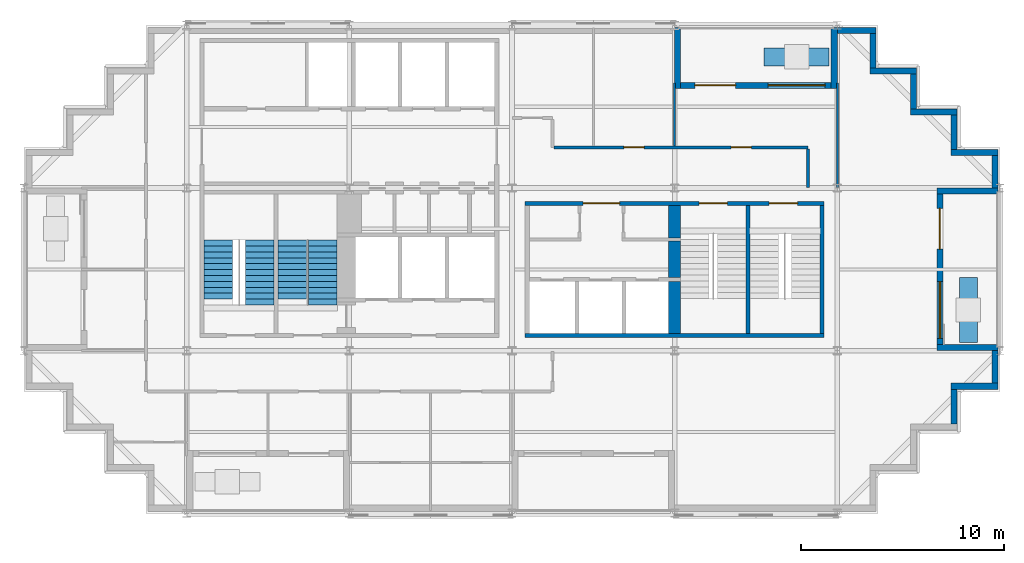
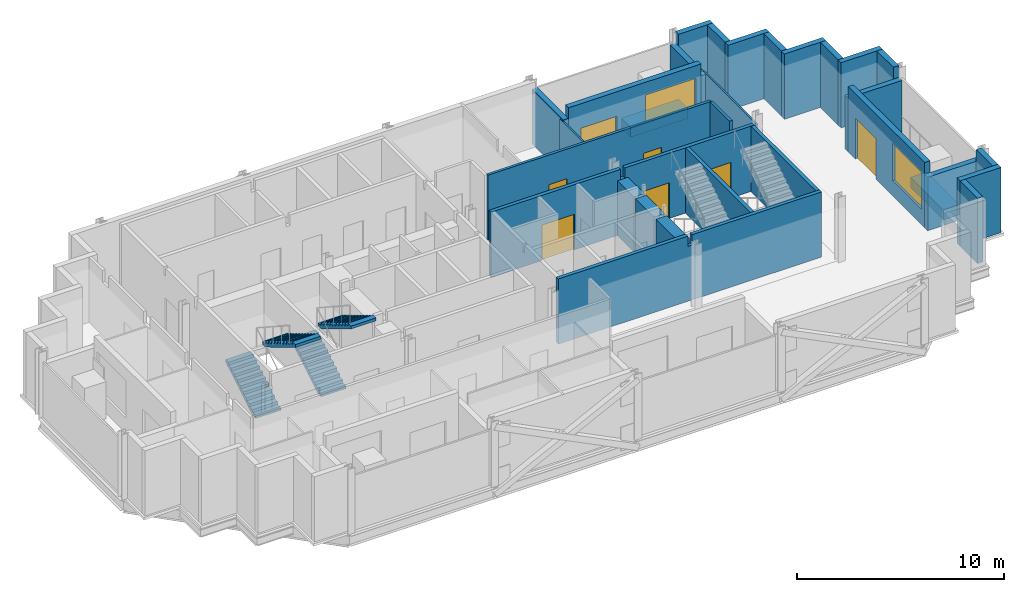
# One storey, part 5 of 8: 30 walls, 7 doors, 4 stair flights, 2 windows, 9 openings, 2 elements without a shape of their own.
"""IFC4 building model written with IfcOpenShell, lengths in metres."""

from ifc_helpers import new_model, si_unit, direction, frame, frame_2d, origin, place, context, subcontext, project, spatial, polyline, rectangle, outline, extrude, material, layer, layer_set, type_object, element, fill, aggregate, save


model = new_model("IFC4")

# Units and contexts
model_context = context("Model", 3, precision=1e-05, world=origin(), true_north=direction((0.0, 1.0)))
body_context = subcontext(model_context, "Body", "Model", "MODEL_VIEW")
ifc_project = project(units=[si_unit("LENGTHUNIT", "METRE"), si_unit("AREAUNIT", "SQUARE_METRE"), si_unit("VOLUMEUNIT", "CUBIC_METRE"), si_unit("PLANEANGLEUNIT", "RADIAN"), si_unit("MASSUNIT", "GRAM", prefix="KILO")], contexts=[model_context])

# Site, building, storey
site_placement = place(None, origin())
site = spatial("IfcSite", under=ifc_project, at=site_placement, CompositionType="ELEMENT")
building_placement = place(site_placement, origin())
building = spatial("IfcBuilding", under=site, at=building_placement, Name="Immortelle Media Tower", CompositionType="ELEMENT")
storey_placement = place(building_placement, frame((0.0, 0.0, 197.0)))
storey = spatial("IfcBuildingStorey", under=building, at=storey_placement, Name="L41", CompositionType="ELEMENT", Elevation=197.0)

# Wall
ifc_material_1 = material(Name="Fire-rated gypsum board", Category="gypsum")
ifc_layer_1 = layer(ifc_material_1, 0.012451171875)
ifc_material_2 = material(Name="Steel ASTM A653 SS Gr 50 stud frame with mineral wool", Category="steel")
ifc_layer_2 = layer(ifc_material_2, 0.125)
ifc_layer_3 = layer(ifc_material_1, 0.012451171875)
ifc_layer_set_1 = layer_set([ifc_layer_1, ifc_layer_2, ifc_layer_3], Name="Steel ASTM A653 SS Gr 50 stud frame with mineral wool")
wall_type_1 = type_object("IfcWallType", Name="Corridor wall 150", PredefinedType="PARTITIONING", material=ifc_layer_set_1)
wall_1_placement = place(storey_placement, frame((38.550048828125, 16.030029296875, 0.0), z_axis=(0.0, 0.0, 1.0), x_axis=(0.0, 1.0, 0.0)))
element("IfcWall", 1, at=wall_1_placement, inside=storey, type_object=wall_type_1, Name="Partition L41-017", PredefinedType="PARTITIONING", context=body_context, shape_type="SweptSolid", body=[
    extrude(rectangle(XDim=1.89501953125, YDim=0.14990234375, at=frame_2d((0.947509765625, 0.0))), origin(), (0.0, 0.0, 1.0), 3.85009765625),
])

# Wall, openings, doors
wall_2_placement = place(storey_placement, frame((26.074951171875, 18.0, 0.0), z_axis=(0.0, 0.0, 1.0), x_axis=(1.0, 0.0, 0.0)))
wall_2 = element("IfcWall", 2, at=wall_2_placement, inside=storey, type_object=wall_type_1, Name="Partition L41-019", PredefinedType="PARTITIONING", context=body_context, shape_type="SweptSolid", body=[
    extrude(rectangle(XDim=12.47509765625, YDim=0.14990234375, at=frame_2d((6.237548828125, 0.0))), origin(), (0.0, 0.0, 1.0), 3.85009765625),
])
opening_1_placement = place(wall_2_placement, frame((8.699951171875, 0.0, 0.0)))
opening_1 = element("IfcOpeningElement", 3, at=opening_1_placement, cuts=wall_2, Name="Opening O1-F013", PredefinedType="OPENING", context=body_context, shape_type="SweptSolid", body=[
    extrude(rectangle(XDim=1.0, YDim=2.10009765625, at=frame_2d((0.5, 1.050048828125))), frame((0.0, 0.0849609375, 0.0), z_axis=(0.0, -1.0, 0.0), x_axis=(1.0, 0.0, 0.0)), (0.0, 0.0, 1.0), 0.169921875),
])
opening_2_placement = place(wall_2_placement, frame((3.425048828125, 0.0, 0.0)))
opening_2 = element("IfcOpeningElement", 4, at=opening_2_placement, cuts=wall_2, Name="Opening O1-F015", PredefinedType="OPENING", context=body_context, shape_type="SweptSolid", body=[
    extrude(rectangle(XDim=1.0, YDim=2.10009765625, at=frame_2d((0.5, 1.050048828125))), frame((0.0, 0.0849609375, 0.0), z_axis=(0.0, -1.0, 0.0), x_axis=(1.0, 0.0, 0.0)), (0.0, 0.0, 1.0), 0.169921875),
])
ifc_material_3 = material(Name="Timber veneered door leaf, galvanised steel frame ASTM A653", Category="steel")
door_type_1 = type_object("IfcDoorType", Name="Room door 1000 x 2100", OperationType="NOTDEFINED", PredefinedType="DOOR", material=ifc_material_3)
door_1_placement = place(opening_1_placement, origin())
door_1 = element("IfcDoor", 5, at=door_1_placement, inside=storey, type_object=door_type_1, Name="Door O1-F013", OperationType="SINGLE_SWING_LEFT", OverallHeight=2.10009765625, OverallWidth=1.0, PredefinedType="DOOR", context=body_context, shape_type="SweptSolid", body=[
    extrude(rectangle(XDim=1.0, YDim=2.10009765625, at=frame_2d((0.5, 1.050048828125))), frame((0.0, 0.02490234375, 0.0), z_axis=(0.0, -1.0, 0.0), x_axis=(1.0, 0.0, 0.0)), (0.0, 0.0, 1.0), 0.050048828125),
])
fill(opening_1, door_1)
door_2_placement = place(opening_2_placement, origin())
door_2 = element("IfcDoor", 6, at=door_2_placement, inside=storey, type_object=door_type_1, Name="Door O1-F015", OperationType="SINGLE_SWING_RIGHT", OverallHeight=2.10009765625, OverallWidth=1.0, PredefinedType="DOOR", context=body_context, shape_type="SweptSolid", body=[
    extrude(rectangle(XDim=1.0, YDim=2.10009765625, at=frame_2d((0.5, 1.050048828125))), frame((0.0, 0.02490234375, 0.0), z_axis=(0.0, -1.0, 0.0), x_axis=(1.0, 0.0, 0.0)), (0.0, 0.0, 1.0), 0.050048828125),
])
fill(opening_2, door_2)

# Walls
ifc_material_4 = material(Name="Pale aluminium cladding panel", Category="aluminium")
ifc_layer_4 = layer(ifc_material_4, 0.030029296875)
ifc_layer_5 = layer(ifc_material_2, 0.257568359375)
ifc_material_5 = material(Name="Moisture-resistant gypsum board", Category="gypsum")
ifc_layer_6 = layer(ifc_material_5, 0.012451171875)
ifc_layer_set_2 = layer_set([ifc_layer_4, ifc_layer_5, ifc_layer_6], Name="Steel ASTM A653 SS Gr 50 stud frame with mineral wool")
wall_type_2 = type_object("IfcWallType", Name="Facade wall 300", PredefinedType="SOLIDWALL", material=ifc_layer_set_2)
wall_3_placement = place(storey_placement, frame((45.75, 4.39990234375, 0.0), z_axis=(0.0, 0.0, 1.0), x_axis=(0.0, 1.0, 0.0)))
element("IfcWall", 7, at=wall_3_placement, inside=storey, type_object=wall_type_2, Name="Facade wall L41 E11", PredefinedType="SOLIDWALL", context=body_context, shape_type="SweptSolid", body=[
    extrude(rectangle(XDim=1.7001953125, YDim=0.300048828125, at=frame_2d((0.85009765625, 0.0))), origin(), (0.0, 0.0, 1.0), 3.85009765625),
])
wall_4_placement = place(storey_placement, frame((45.60009765625, 6.25, 0.0), z_axis=(0.0, 0.0, 1.0), x_axis=(1.0, 0.0, 0.0)))
element("IfcWall", 8, at=wall_4_placement, inside=storey, type_object=wall_type_2, Name="Facade wall L41 S12", PredefinedType="SOLIDWALL", context=body_context, shape_type="SweptSolid", body=[
    extrude(rectangle(XDim=2.2998046875, YDim=0.300048828125, at=frame_2d((1.14990234375, 0.0))), origin(), (0.0, 0.0, 1.0), 3.85009765625),
])
wall_5_placement = place(storey_placement, frame((47.75, 6.39990234375, 0.0), z_axis=(0.0, 0.0, 1.0), x_axis=(0.0, 1.0, 0.0)))
element("IfcWall", 9, at=wall_5_placement, inside=storey, type_object=wall_type_2, Name="Facade wall L41 E13", PredefinedType="SOLIDWALL", context=body_context, shape_type="SweptSolid", body=[
    extrude(rectangle(XDim=1.60009765625, YDim=0.300048828125, at=frame_2d((0.800048828125, 0.0))), origin(), (0.0, 0.0, 1.0), 3.85009765625),
])

# Wall, openings, door, window
wall_6_placement = place(storey_placement, frame((45.050048828125, 8.300048828125, 0.0), z_axis=(0.0, 0.0, 1.0), x_axis=(0.0, 1.0, 0.0)))
wall_6 = element("IfcWall", 10, at=wall_6_placement, inside=storey, type_object=wall_type_2, Name="Loggia wall L41 E13", PredefinedType="SOLIDWALL", context=body_context, shape_type="SweptSolid", body=[
    extrude(rectangle(XDim=7.39990234375, YDim=0.300048828125, at=frame_2d((3.699951171875, 0.0))), origin(), (0.0, 0.0, 1.0), 3.85009765625),
])
opening_3_placement = place(wall_6_placement, frame((0.300048828125, 0.0, 0.89990234375)))
opening_3 = element("IfcOpeningElement", 11, at=opening_3_placement, cuts=wall_6, Name="Opening W1", PredefinedType="OPENING", context=body_context, shape_type="SweptSolid", body=[
    extrude(rectangle(XDim=2.800048828125, YDim=2.199951171875, at=frame_2d((1.39990234375, 1.10009765625))), frame((0.0, 0.159912109375, 0.0), z_axis=(0.0, -1.0, 0.0), x_axis=(1.0, 0.0, 0.0)), (0.0, 0.0, 1.0), 0.320068359375),
])
opening_4_placement = place(wall_6_placement, frame((4.699951171875, 0.0, 0.0)))
opening_4 = element("IfcOpeningElement", 12, at=opening_4_placement, cuts=wall_6, Name="Opening O1-E003", PredefinedType="OPENING", context=body_context, shape_type="SweptSolid", body=[
    extrude(rectangle(XDim=2.0, YDim=2.39990234375, at=frame_2d((1.0, 1.199951171875))), frame((0.0, 0.159912109375, 0.0), z_axis=(0.0, -1.0, 0.0), x_axis=(1.0, 0.0, 0.0)), (0.0, 0.0, 1.0), 0.320068359375),
])
ifc_material_6 = material(Name="Aluminium frame, glazed leaves", Category="aluminium")
door_type_2 = type_object("IfcDoorType", Name="Loggia door 2000 x 2400", OperationType="DOUBLE_DOOR_SINGLE_SWING", PredefinedType="DOOR", material=ifc_material_6)
door_3_placement = place(opening_4_placement, origin())
door_3 = element("IfcDoor", 13, at=door_3_placement, inside=storey, type_object=door_type_2, Name="Door O1-E003", OperationType="DOUBLE_DOOR_SINGLE_SWING", OverallHeight=2.39990234375, OverallWidth=2.0, PredefinedType="DOOR", context=body_context, shape_type="SweptSolid", body=[
    extrude(rectangle(XDim=2.0, YDim=2.39990234375, at=frame_2d((1.0, 1.199951171875))), frame((0.0, 0.02490234375, 0.0), z_axis=(0.0, -1.0, 0.0), x_axis=(1.0, 0.0, 0.0)), (0.0, 0.0, 1.0), 0.050048828125),
])
fill(opening_4, door_3)
ifc_material_7 = material(Name="Aluminium frame", Category="aluminium")
window_type = type_object("IfcWindowType", Name="Window 2800 x 2200", PartitioningType="SINGLE_PANEL", PredefinedType="WINDOW", material=ifc_material_7)
window_1_placement = place(opening_3_placement, origin())
window_1 = element("IfcWindow", 14, at=window_1_placement, inside=storey, type_object=window_type, Name="Window L41 L41-R13-B0", OverallHeight=2.199951171875, OverallWidth=2.800048828125, PartitioningType="SINGLE_PANEL", PredefinedType="WINDOW", context=body_context, shape_type="SweptSolid", body=[
    extrude(rectangle(XDim=2.800048828125, YDim=2.199951171875, at=frame_2d((1.39990234375, 1.10009765625))), frame((0.0, 0.030029296875, 0.0), z_axis=(0.0, -1.0, 0.0), x_axis=(1.0, 0.0, 0.0)), (0.0, 0.0, 1.0), 0.06005859375),
])
fill(opening_3, window_1)

# Walls
for number, where, z_axis, x_axis, name in (
    (15, (47.89990234375, 8.14990234375, 0.0), (0.0, 0.0, 1.0), (-1.0, 0.0, 0.0), "Loggia cheek wall L41 E"),
    (16, (47.89990234375, 15.85009765625, 0.0), (0.0, 0.0, 1.0), (-1.0, 0.0, 0.0), "Loggia cheek wall L41 E"),
):
    element("IfcWall", number, at=place(storey_placement, frame(where, z_axis=z_axis, x_axis=x_axis)), inside=storey, type_object=wall_type_2, Name=name, PredefinedType="SOLIDWALL", context=body_context, shape_type="SweptSolid", body=[
        extrude(rectangle(XDim=3.0, YDim=0.300048828125, at=frame_2d((1.5, 0.0))), origin(), (0.0, 0.0, 1.0), 3.156005859375),
    ])
wall_7_placement = place(storey_placement, frame((47.75, 16.0, 0.0), z_axis=(0.0, 0.0, 1.0), x_axis=(0.0, 1.0, 0.0)))
element("IfcWall", 17, at=wall_7_placement, inside=storey, type_object=wall_type_2, Name="Facade wall L41 E13", PredefinedType="SOLIDWALL", context=body_context, shape_type="SweptSolid", body=[
    extrude(rectangle(XDim=1.60009765625, YDim=0.300048828125, at=frame_2d((0.800048828125, 0.0))), origin(), (0.0, 0.0, 1.0), 3.85009765625),
])
wall_8_placement = place(storey_placement, frame((47.89990234375, 17.75, 0.0), z_axis=(0.0, 0.0, 1.0), x_axis=(-1.0, 0.0, 0.0)))
element("IfcWall", 18, at=wall_8_placement, inside=storey, type_object=wall_type_2, Name="Facade wall L41 N14", PredefinedType="SOLIDWALL", context=body_context, shape_type="SweptSolid", body=[
    extrude(rectangle(XDim=2.2998046875, YDim=0.300048828125, at=frame_2d((1.14990234375, 0.0))), origin(), (0.0, 0.0, 1.0), 3.85009765625),
])
wall_9_placement = place(storey_placement, frame((45.75, 17.89990234375, 0.0), z_axis=(0.0, 0.0, 1.0), x_axis=(0.0, 1.0, 0.0)))
element("IfcWall", 19, at=wall_9_placement, inside=storey, type_object=wall_type_2, Name="Facade wall L41 E15", PredefinedType="SOLIDWALL", context=body_context, shape_type="SweptSolid", body=[
    extrude(rectangle(XDim=1.7001953125, YDim=0.300048828125, at=frame_2d((0.85009765625, 0.0))), origin(), (0.0, 0.0, 1.0), 3.85009765625),
])
wall_10_placement = place(storey_placement, frame((45.89990234375, 19.75, 0.0), z_axis=(0.0, 0.0, 1.0), x_axis=(-1.0, 0.0, 0.0)))
element("IfcWall", 20, at=wall_10_placement, inside=storey, type_object=wall_type_2, Name="Facade wall L41 N16", PredefinedType="SOLIDWALL", context=body_context, shape_type="SweptSolid", body=[
    extrude(rectangle(XDim=2.2998046875, YDim=0.300048828125, at=frame_2d((1.14990234375, 0.0))), origin(), (0.0, 0.0, 1.0), 3.85009765625),
])
wall_11_placement = place(storey_placement, frame((43.75, 19.89990234375, 0.0), z_axis=(0.0, 0.0, 1.0), x_axis=(0.0, 1.0, 0.0)))
element("IfcWall", 21, at=wall_11_placement, inside=storey, type_object=wall_type_2, Name="Facade wall L41 E17", PredefinedType="SOLIDWALL", context=body_context, shape_type="SweptSolid", body=[
    extrude(rectangle(XDim=1.7001953125, YDim=0.300048828125, at=frame_2d((0.85009765625, 0.0))), origin(), (0.0, 0.0, 1.0), 3.85009765625),
])
wall_12_placement = place(storey_placement, frame((43.89990234375, 21.75, 0.0), z_axis=(0.0, 0.0, 1.0), x_axis=(-1.0, 0.0, 0.0)))
element("IfcWall", 22, at=wall_12_placement, inside=storey, type_object=wall_type_2, Name="Facade wall L41 N18", PredefinedType="SOLIDWALL", context=body_context, shape_type="SweptSolid", body=[
    extrude(rectangle(XDim=2.2998046875, YDim=0.300048828125, at=frame_2d((1.14990234375, 0.0))), origin(), (0.0, 0.0, 1.0), 3.85009765625),
])
wall_13_placement = place(storey_placement, frame((41.75, 21.89990234375, 0.0), z_axis=(0.0, 0.0, 1.0), x_axis=(0.0, 1.0, 0.0)))
element("IfcWall", 23, at=wall_13_placement, inside=storey, type_object=wall_type_2, Name="Facade wall L41 E19", PredefinedType="SOLIDWALL", context=body_context, shape_type="SweptSolid", body=[
    extrude(rectangle(XDim=1.7001953125, YDim=0.300048828125, at=frame_2d((0.85009765625, 0.0))), origin(), (0.0, 0.0, 1.0), 3.85009765625),
])
wall_14_placement = place(storey_placement, frame((41.89990234375, 23.75, 0.0), z_axis=(0.0, 0.0, 1.0), x_axis=(-1.0, 0.0, 0.0)))
element("IfcWall", 24, at=wall_14_placement, inside=storey, type_object=wall_type_2, Name="Facade wall L41 N20", PredefinedType="SOLIDWALL", context=body_context, shape_type="SweptSolid", body=[
    extrude(rectangle(XDim=1.89990234375, YDim=0.300048828125, at=frame_2d((0.949951171875, 0.0))), origin(), (0.0, 0.0, 1.0), 3.85009765625),
])

# Wall, openings, door, window
wall_15_placement = place(storey_placement, frame((39.699951171875, 21.050048828125, 0.0), z_axis=(0.0, 0.0, 1.0), x_axis=(-1.0, 0.0, 0.0)))
wall_15 = element("IfcWall", 25, at=wall_15_placement, inside=storey, type_object=wall_type_2, Name="Loggia wall L41 N20", PredefinedType="SOLIDWALL", context=body_context, shape_type="SweptSolid", body=[
    extrude(rectangle(XDim=7.39990234375, YDim=0.300048828125, at=frame_2d((3.699951171875, 0.0))), origin(), (0.0, 0.0, 1.0), 3.85009765625),
])
opening_5_placement = place(wall_15_placement, frame((0.300048828125, 0.0, 0.89990234375)))
opening_5 = element("IfcOpeningElement", 26, at=opening_5_placement, cuts=wall_15, Name="Opening W1", PredefinedType="OPENING", context=body_context, shape_type="SweptSolid", body=[
    extrude(rectangle(XDim=2.800048828125, YDim=2.199951171875, at=frame_2d((1.39990234375, 1.10009765625))), frame((0.0, 0.159912109375, 0.0), z_axis=(0.0, -1.0, 0.0), x_axis=(1.0, 0.0, 0.0)), (0.0, 0.0, 1.0), 0.320068359375),
])
opening_6_placement = place(wall_15_placement, frame((4.699951171875, 0.0, 0.0)))
opening_6 = element("IfcOpeningElement", 27, at=opening_6_placement, cuts=wall_15, Name="Opening O1-E004", PredefinedType="OPENING", context=body_context, shape_type="SweptSolid", body=[
    extrude(rectangle(XDim=2.0, YDim=2.39990234375, at=frame_2d((1.0, 1.199951171875))), frame((0.0, 0.159912109375, 0.0), z_axis=(0.0, -1.0, 0.0), x_axis=(1.0, 0.0, 0.0)), (0.0, 0.0, 1.0), 0.320068359375),
])
door_4_placement = place(opening_6_placement, origin())
door_4 = element("IfcDoor", 28, at=door_4_placement, inside=storey, type_object=door_type_2, Name="Door O1-E004", OperationType="DOUBLE_DOOR_SINGLE_SWING", OverallHeight=2.39990234375, OverallWidth=2.0, PredefinedType="DOOR", context=body_context, shape_type="SweptSolid", body=[
    extrude(rectangle(XDim=2.0, YDim=2.39990234375, at=frame_2d((1.0, 1.199951171875))), frame((0.0, 0.02490234375, 0.0), z_axis=(0.0, -1.0, 0.0), x_axis=(1.0, 0.0, 0.0)), (0.0, 0.0, 1.0), 0.050048828125),
])
fill(opening_6, door_4)
window_2_placement = place(opening_5_placement, origin())
window_2 = element("IfcWindow", 29, at=window_2_placement, inside=storey, type_object=window_type, Name="Window L41 L41-R20-B0", OverallHeight=2.199951171875, OverallWidth=2.800048828125, PartitioningType="SINGLE_PANEL", PredefinedType="WINDOW", context=body_context, shape_type="SweptSolid", body=[
    extrude(rectangle(XDim=2.800048828125, YDim=2.199951171875, at=frame_2d((1.39990234375, 1.10009765625))), frame((0.0, 0.030029296875, 0.0), z_axis=(0.0, -1.0, 0.0), x_axis=(1.0, 0.0, 0.0)), (0.0, 0.0, 1.0), 0.06005859375),
])
fill(opening_5, window_2)

# Walls
wall_16_placement = place(storey_placement, frame((39.85009765625, 23.89990234375, 0.0), z_axis=(0.0, 0.0, 1.0), x_axis=(0.0, -1.0, 0.0)))
element("IfcWall", 30, at=wall_16_placement, inside=storey, type_object=wall_type_2, Name="Loggia cheek wall L41 N", PredefinedType="SOLIDWALL", context=body_context, shape_type="SweptSolid", body=[
    extrude(rectangle(XDim=3.0, YDim=0.300048828125, at=frame_2d((1.5, 0.0))), origin(), (0.0, 0.0, 1.0), 3.156005859375),
])
wall_17_placement = place(storey_placement, frame((32.14990234375, 23.89990234375, 0.0), z_axis=(0.0, 0.0, 1.0), x_axis=(0.0, -1.0, 0.0)))
element("IfcWall", 31, at=wall_17_placement, inside=storey, type_object=wall_type_2, Name="Loggia cheek wall L41 N", PredefinedType="SOLIDWALL", context=body_context, shape_type="SweptSolid", body=[
    extrude(rectangle(XDim=3.0, YDim=0.300048828125, at=frame_2d((1.5, 0.0))), origin(), (0.0, 0.0, 1.0), 3.237060546875),
])
ifc_material_8 = material(Name="Gypsum board", Category="gypsum")
ifc_layer_7 = layer(ifc_material_8, 0.012451171875)
ifc_layer_8 = layer(ifc_material_2, 0.074951171875)
ifc_layer_9 = layer(ifc_material_8, 0.012451171875)
ifc_layer_set_3 = layer_set([ifc_layer_7, ifc_layer_8, ifc_layer_9], Name="Steel ASTM A653 SS Gr 50 stud frame with mineral wool")
wall_type_3 = type_object("IfcWallType", Name="Partition 100", PredefinedType="PARTITIONING", material=ifc_layer_set_3)
wall_18_placement = place(storey_placement, frame((40.0, 16.030029296875, 0.0), z_axis=(0.0, 0.0, 1.0), x_axis=(0.0, 1.0, 0.0)))
element("IfcWall", 32, at=wall_18_placement, inside=storey, type_object=wall_type_3, Name="Partition L41-018", PredefinedType="PARTITIONING", context=body_context, shape_type="SweptSolid", body=[
    extrude(rectangle(XDim=5.139892578125, YDim=0.10009765625, at=frame_2d((2.56982421875, 0.0))), origin(), (0.0, 0.0, 1.0), 3.156982421875),
])
wall_19_placement = place(storey_placement, frame((32.0, 18.074951171875, 0.0), z_axis=(0.0, 0.0, 1.0), x_axis=(0.0, 1.0, 0.0)))
element("IfcWall", 33, at=wall_19_placement, inside=storey, type_object=wall_type_3, Name="Partition L41-022", PredefinedType="PARTITIONING", context=body_context, shape_type="SweptSolid", body=[
    extrude(rectangle(XDim=3.094970703125, YDim=0.10009765625, at=frame_2d((1.54736328125, 0.0))), origin(), (0.0, 0.0, 1.0), 3.156982421875),
])
ifc_layer_10 = layer(ifc_material_4, 0.0029296875)
ifc_material_9 = material(Name="Steel ASTM A572 Gr 50 planter shell", Category="steel")
ifc_layer_11 = layer(ifc_material_9, 0.011962890625)
ifc_material_10 = material(Name="Planting substrate", Category="soil")
ifc_layer_12 = layer(ifc_material_10, 0.873046875)
ifc_layer_13 = layer(ifc_material_9, 0.011962890625)
ifc_layer_set_4 = layer_set([ifc_layer_10, ifc_layer_11, ifc_layer_12, ifc_layer_13], Name="Steel ASTM A572 Gr 50 planter shell")
wall_type_4 = type_object("IfcWallType", Name="Planter wall 900", PredefinedType="SOLIDWALL", material=ifc_layer_set_4)
for number, where, z_axis, x_axis, name in (
    (34, (46.449951171875, 8.39990234375, 0.0), (0.0, 0.0, 1.0), (0.0, 1.0, 0.0), "Planter L41 E0"),
    (35, (39.60009765625, 22.449951171875, 0.0), (0.0, 0.0, 1.0), (-1.0, 0.0, 0.0), "Planter L41 N0"),
):
    element("IfcWall", number, at=place(storey_placement, frame(where, z_axis=z_axis, x_axis=x_axis)), inside=storey, type_object=wall_type_4, Name=name, PredefinedType="SOLIDWALL", context=body_context, shape_type="SweptSolid", body=[
        extrude(rectangle(XDim=3.2001953125, YDim=0.89990234375, at=frame_2d((1.60009765625, 0.0))), origin(), (0.0, 0.0, 1.0), 0.60009765625),
    ])
ifc_material_11 = material(Name="Concrete C60", Category="concrete")
ifc_layer_14 = layer(ifc_material_11, 0.199951171875)
ifc_layer_set_5 = layer_set([ifc_layer_14], Name="Concrete C60")
wall_type_5 = type_object("IfcWallType", Name="Stair shaft wall 200", PredefinedType="PARTITIONING", material=ifc_layer_set_5)
wall_20_placement = place(storey_placement, frame((24.64990234375, 8.75, 0.0), z_axis=(0.0, 0.0, 1.0), x_axis=(1.0, 0.0, 0.0)))
element("IfcWall", 36, at=wall_20_placement, inside=storey, type_object=wall_type_5, Name="Stair shaft wall SE", PredefinedType="PARTITIONING", context=body_context, shape_type="SweptSolid", body=[
    extrude(outline(polyline([(0.0, 0.0), (14.7001953125, 0.0), (14.699951171875, 3.85009765625), (7.468994140625, 3.85009765625), (7.468017578125, 3.241943359375), (7.23193359375, 3.241943359375), (7.23095703125, 3.85009765625), (0.0, 3.85009765625), (0.0, 0.0)])), frame((0.0, 0.10009765625, 0.0), z_axis=(0.0, -1.0, 0.0), x_axis=(1.0, 0.0, 0.0)), (0.0, 0.0, 1.0), 0.199951171875),
])

# Wall, openings, doors
wall_21_placement = place(storey_placement, frame((24.64990234375, 15.25, 0.0), z_axis=(0.0, 0.0, 1.0), x_axis=(1.0, 0.0, 0.0)))
wall_21 = element("IfcWall", 37, at=wall_21_placement, inside=storey, type_object=wall_type_5, Name="Stair shaft wall SE", PredefinedType="PARTITIONING", context=body_context, shape_type="SweptSolid", body=[
    extrude(outline(polyline([(0.0, 0.0), (14.7001953125, 0.0), (14.699951171875, 3.85009765625), (7.468994140625, 3.85009765625), (7.468017578125, 3.241943359375), (7.23193359375, 3.241943359375), (7.23095703125, 3.85009765625), (0.0, 3.85009765625), (0.0, 0.0)])), frame((0.0, 0.10009765625, 0.0), z_axis=(0.0, -1.0, 0.0), x_axis=(1.0, 0.0, 0.0)), (0.0, 0.0, 1.0), 0.199951171875),
])
opening_7_placement = place(wall_21_placement, frame((2.85009765625, 0.0, 0.0)))
opening_7 = element("IfcOpeningElement", 38, at=opening_7_placement, cuts=wall_21, Name="Opening O1-K023", PredefinedType="OPENING", context=body_context, shape_type="SweptSolid", body=[
    extrude(rectangle(XDim=1.800048828125, YDim=2.10009765625, at=frame_2d((0.89990234375, 1.050048828125))), frame((0.0, 0.10986328125, 0.0), z_axis=(0.0, -1.0, 0.0), x_axis=(1.0, 0.0, 0.0)), (0.0, 0.0, 1.0), 0.219970703125),
])
opening_8_placement = place(wall_21_placement, frame((9.949951171875, 0.0, 0.0), z_axis=(0.0, 0.0, 1.0), x_axis=(-1.0, 0.0, 0.0)))
opening_8 = element("IfcOpeningElement", 39, at=opening_8_placement, cuts=wall_21, Name="Opening O1-K025", PredefinedType="OPENING", context=body_context, shape_type="SweptSolid", body=[
    extrude(rectangle(XDim=1.39990234375, YDim=2.10009765625, at=frame_2d((0.699951171875, 1.050048828125))), frame((0.0, 0.10986328125, 0.0), z_axis=(0.0, -1.0, 0.0), x_axis=(1.0, 0.0, 0.0)), (0.0, 0.0, 1.0), 0.219970703125),
])
opening_9_placement = place(wall_21_placement, frame((13.39990234375, 0.0, 0.0), z_axis=(0.0, 0.0, 1.0), x_axis=(-1.0, 0.0, 0.0)))
opening_9 = element("IfcOpeningElement", 40, at=opening_9_placement, cuts=wall_21, Name="Opening O1-K026", PredefinedType="OPENING", context=body_context, shape_type="SweptSolid", body=[
    extrude(rectangle(XDim=1.39990234375, YDim=2.10009765625, at=frame_2d((0.699951171875, 1.050048828125))), frame((0.0, 0.10986328125, 0.0), z_axis=(0.0, -1.0, 0.0), x_axis=(1.0, 0.0, 0.0)), (0.0, 0.0, 1.0), 0.219970703125),
])
ifc_material_12 = material(Name="Galvanised steel door leaf and frame ASTM A653", Category="steel")
door_type_3 = type_object("IfcDoorType", Name="Lift lobby door 1800 x 2100", OperationType="DOUBLE_DOOR_SINGLE_SWING", PredefinedType="NOTDEFINED", material=ifc_material_12)
door_5_placement = place(opening_7_placement, origin())
door_5 = element("IfcDoor", 41, at=door_5_placement, inside=storey, type_object=door_type_3, Name="Lift lobby O1-K023", OperationType="DOUBLE_DOOR_SINGLE_SWING", OverallHeight=2.10009765625, OverallWidth=1.800048828125, PredefinedType="NOTDEFINED", context=body_context, shape_type="SweptSolid", body=[
    extrude(rectangle(XDim=1.800048828125, YDim=2.10009765625, at=frame_2d((0.89990234375, 1.050048828125))), frame((0.0, 0.02490234375, 0.0), z_axis=(0.0, -1.0, 0.0), x_axis=(1.0, 0.0, 0.0)), (0.0, 0.0, 1.0), 0.050048828125),
])
fill(opening_7, door_5)
door_type_4 = type_object("IfcDoorType", Name="Stair door 1400 x 2100", OperationType="DOUBLE_DOOR_SINGLE_SWING", PredefinedType="NOTDEFINED", material=ifc_material_12)
door_6_placement = place(opening_8_placement, origin())
door_6 = element("IfcDoor", 42, at=door_6_placement, inside=storey, type_object=door_type_4, Name="Stair O1-K025", OperationType="DOUBLE_DOOR_SINGLE_SWING", OverallHeight=2.10009765625, OverallWidth=1.39990234375, PredefinedType="NOTDEFINED", context=body_context, shape_type="SweptSolid", body=[
    extrude(rectangle(XDim=1.39990234375, YDim=2.10009765625, at=frame_2d((0.699951171875, 1.050048828125))), frame((0.0, 0.02490234375, 0.0), z_axis=(0.0, -1.0, 0.0), x_axis=(1.0, 0.0, 0.0)), (0.0, 0.0, 1.0), 0.050048828125),
])
fill(opening_8, door_6)
door_7_placement = place(opening_9_placement, origin())
door_7 = element("IfcDoor", 43, at=door_7_placement, inside=storey, type_object=door_type_4, Name="Stair O1-K026", OperationType="DOUBLE_DOOR_SINGLE_SWING", OverallHeight=2.10009765625, OverallWidth=1.39990234375, PredefinedType="NOTDEFINED", context=body_context, shape_type="SweptSolid", body=[
    extrude(rectangle(XDim=1.39990234375, YDim=2.10009765625, at=frame_2d((0.699951171875, 1.050048828125))), frame((0.0, 0.02490234375, 0.0), z_axis=(0.0, -1.0, 0.0), x_axis=(1.0, 0.0, 0.0)), (0.0, 0.0, 1.0), 0.050048828125),
])
fill(opening_9, door_7)

# Walls
for number, where, z_axis, x_axis, name in (
    (44, (35.60009765625, 8.85009765625, 0.0), (0.0, 0.0, 1.0), (0.0, 1.0, 0.0), "Stair shaft wall SE"),
    (45, (39.25, 8.85009765625, 0.0), (0.0, 0.0, 1.0), (0.0, 1.0, 0.0), "Stair shaft wall SE"),
):
    element("IfcWall", number, at=place(storey_placement, frame(where, z_axis=z_axis, x_axis=x_axis)), inside=storey, type_object=wall_type_5, Name=name, PredefinedType="PARTITIONING", context=body_context, shape_type="SweptSolid", body=[
        extrude(rectangle(XDim=6.2998046875, YDim=0.199951171875, at=frame_2d((3.14990234375, 0.0))), origin(), (0.0, 0.0, 1.0), 3.85009765625),
    ])
ifc_layer_15 = layer(ifc_material_11, 0.60009765625)
ifc_layer_set_6 = layer_set([ifc_layer_15], Name="Concrete C60")
wall_type_6 = type_object("IfcWallType", Name="Stair shaft wall 600", PredefinedType="PARTITIONING", material=ifc_layer_set_6)
wall_22_placement = place(storey_placement, frame((32.0, 8.85009765625, 0.0), z_axis=(0.0, 0.0, 1.0), x_axis=(0.0, 1.0, 0.0)))
element("IfcWall", 46, at=wall_22_placement, inside=storey, type_object=wall_type_6, Name="Stair shaft wall SE", PredefinedType="PARTITIONING", context=body_context, shape_type="SweptSolid", body=[
    extrude(rectangle(XDim=2.5498046875, YDim=0.60009765625, at=frame_2d((1.27490234375, 0.0))), origin(), (0.0, 0.0, 1.0), 3.241943359375),
])
wall_23_placement = place(storey_placement, frame((32.0, 11.60009765625, 0.0), z_axis=(0.0, 0.0, 1.0), x_axis=(0.0, 1.0, 0.0)))
element("IfcWall", 47, at=wall_23_placement, inside=storey, type_object=wall_type_6, Name="Stair shaft wall SE", PredefinedType="PARTITIONING", context=body_context, shape_type="SweptSolid", body=[
    extrude(rectangle(XDim=1.7998046875, YDim=0.60009765625, at=frame_2d((0.89990234375, 0.0))), origin(), (0.0, 0.0, 1.0), 3.241943359375),
])
wall_24_placement = place(storey_placement, frame((32.0, 13.550048828125, 0.0), z_axis=(0.0, 0.0, 1.0), x_axis=(0.0, 1.0, 0.0)))
element("IfcWall", 48, at=wall_24_placement, inside=storey, type_object=wall_type_6, Name="Stair shaft wall SE", PredefinedType="PARTITIONING", context=body_context, shape_type="SweptSolid", body=[
    extrude(rectangle(XDim=1.599853515625, YDim=0.60009765625, at=frame_2d((0.7998046875, 0.0))), origin(), (0.0, 0.0, 1.0), 3.241943359375),
])

# Stair, stair flights
ifc_material_13 = material(Name="Steel ASTM A992 Gr 50", Category="steel")
stair_type = type_object("IfcStairType", Name="Stair with flights", PredefinedType="DOUBLE_RETURN_STAIR", material=ifc_material_13)
stair_1_placement = place(storey_placement, origin())
stair_1 = element("IfcStair", 49, at=stair_1_placement, inside=storey, type_object=stair_type, Name="Exit stair SW1", PredefinedType="DOUBLE_RETURN_STAIR")
stair_flight_type = type_object("IfcStairFlightType", Name="Stair flight 1400", PredefinedType="STRAIGHT", material=ifc_material_13)
stair_flight_1_placement = place(storey_placement, frame((9.550048828125, 10.5400390625, 0.0), z_axis=(0.0, 0.0, 1.0), x_axis=(0.0, 1.0, 0.0)))
stair_flight_1 = element("IfcStairFlight", 50, at=stair_flight_1_placement, type_object=stair_flight_type, Name="ST SW1 flight 1", NumberOfRisers=11, NumberOfTreads=10, PredefinedType="STRAIGHT", RiserHeight=0.173913043, TreadLength=0.29, context=body_context, shape_type="SweptSolid", body=[
    extrude(outline(polyline([(0.0, 0.0), (0.0, 0.173828125), (0.2900390625, 0.173828125), (0.2900390625, 0.347900390625), (0.580078125, 0.347900390625), (0.580078125, 0.521728515625), (0.8701171875, 0.521728515625), (0.8701171875, 0.695556640625), (1.159912109375, 0.695556640625), (1.159912109375, 0.86962890625), (1.449951171875, 0.86962890625), (1.449951171875, 1.04345703125), (1.739990234375, 1.04345703125), (1.739990234375, 1.21728515625), (2.030029296875, 1.21728515625), (2.030029296875, 1.391357421875), (2.320068359375, 1.391357421875), (2.320068359375, 1.565185546875), (2.610107421875, 1.565185546875), (2.610107421875, 1.739013671875), (2.89990234375, 1.739013671875), (2.89990234375, 1.9130859375), (2.89990234375, 1.564453125), (0.29150390625, 0.0), (0.0, 0.0)])), frame((0.0, 0.699951171875, 0.0), z_axis=(0.0, -1.0, 0.0), x_axis=(1.0, 0.0, 0.0)), (0.0, 0.0, 1.0), 1.39990234375),
])
stair_flight_2_placement = place(storey_placement, frame((11.60009765625, 13.43994140625, 1.9130859375), z_axis=(0.0, 0.0, 1.0), x_axis=(0.0, -1.0, 0.0)))
stair_flight_2 = element("IfcStairFlight", 51, at=stair_flight_2_placement, type_object=stair_flight_type, Name="ST SW1 flight 2", NumberOfRisers=12, NumberOfTreads=11, PredefinedType="STRAIGHT", RiserHeight=0.173913043, TreadLength=0.29, context=body_context, shape_type="SweptSolid", body=[
    extrude(outline(polyline([(0.0, 0.0), (0.0, 0.173828125), (0.2900390625, 0.173828125), (0.2900390625, 0.347900390625), (0.580078125, 0.347900390625), (0.580078125, 0.521728515625), (0.8701171875, 0.521728515625), (0.8701171875, 0.695556640625), (1.159912109375, 0.695556640625), (1.159912109375, 0.86962890625), (1.449951171875, 0.86962890625), (1.449951171875, 1.04345703125), (1.739990234375, 1.04345703125), (1.739990234375, 1.21728515625), (2.030029296875, 1.21728515625), (2.030029296875, 1.391357421875), (2.320068359375, 1.391357421875), (2.320068359375, 1.565185546875), (2.610107421875, 1.565185546875), (2.610107421875, 1.739013671875), (2.89990234375, 1.739013671875), (2.89990234375, 1.9130859375), (3.18994140625, 1.9130859375), (3.18994140625, 2.0869140625), (3.18994140625, 1.73828125), (0.29150390625, 0.0), (0.0, 0.0)])), frame((0.0, 0.699951171875, 0.0), z_axis=(0.0, -1.0, 0.0), x_axis=(1.0, 0.0, 0.0)), (0.0, 0.0, 1.0), 1.39990234375),
])
aggregate(stair_1, [stair_flight_1, stair_flight_2])

stair_2_placement = place(storey_placement, origin())
stair_2 = element("IfcStair", 52, at=stair_2_placement, inside=storey, type_object=stair_type, Name="Exit stair SW2", PredefinedType="DOUBLE_RETURN_STAIR")
stair_flight_3_placement = place(storey_placement, frame((13.199951171875, 10.5400390625, 0.0), z_axis=(0.0, 0.0, 1.0), x_axis=(0.0, 1.0, 0.0)))
stair_flight_3 = element("IfcStairFlight", 53, at=stair_flight_3_placement, type_object=stair_flight_type, Name="ST SW2 flight 1", NumberOfRisers=11, NumberOfTreads=10, PredefinedType="STRAIGHT", RiserHeight=0.173913043, TreadLength=0.29, context=body_context, shape_type="SweptSolid", body=[
    extrude(outline(polyline([(0.0, 0.0), (0.0, 0.173828125), (0.2900390625, 0.173828125), (0.2900390625, 0.347900390625), (0.580078125, 0.347900390625), (0.580078125, 0.521728515625), (0.8701171875, 0.521728515625), (0.8701171875, 0.695556640625), (1.159912109375, 0.695556640625), (1.159912109375, 0.86962890625), (1.449951171875, 0.86962890625), (1.449951171875, 1.04345703125), (1.739990234375, 1.04345703125), (1.739990234375, 1.21728515625), (2.030029296875, 1.21728515625), (2.030029296875, 1.391357421875), (2.320068359375, 1.391357421875), (2.320068359375, 1.565185546875), (2.610107421875, 1.565185546875), (2.610107421875, 1.739013671875), (2.89990234375, 1.739013671875), (2.89990234375, 1.9130859375), (2.89990234375, 1.564453125), (0.29150390625, 0.0), (0.0, 0.0)])), frame((0.0, 0.699951171875, 0.0), z_axis=(0.0, -1.0, 0.0), x_axis=(1.0, 0.0, 0.0)), (0.0, 0.0, 1.0), 1.39990234375),
])
stair_flight_4_placement = place(storey_placement, frame((14.699951171875, 13.43994140625, 1.9130859375), z_axis=(0.0, 0.0, 1.0), x_axis=(0.0, -1.0, 0.0)))
stair_flight_4 = element("IfcStairFlight", 54, at=stair_flight_4_placement, type_object=stair_flight_type, Name="ST SW2 flight 2", NumberOfRisers=12, NumberOfTreads=11, PredefinedType="STRAIGHT", RiserHeight=0.173913043, TreadLength=0.29, context=body_context, shape_type="SweptSolid", body=[
    extrude(outline(polyline([(0.0, 0.0), (0.0, 0.173828125), (0.2900390625, 0.173828125), (0.2900390625, 0.347900390625), (0.580078125, 0.347900390625), (0.580078125, 0.521728515625), (0.8701171875, 0.521728515625), (0.8701171875, 0.695556640625), (1.159912109375, 0.695556640625), (1.159912109375, 0.86962890625), (1.449951171875, 0.86962890625), (1.449951171875, 1.04345703125), (1.739990234375, 1.04345703125), (1.739990234375, 1.21728515625), (2.030029296875, 1.21728515625), (2.030029296875, 1.391357421875), (2.320068359375, 1.391357421875), (2.320068359375, 1.565185546875), (2.610107421875, 1.565185546875), (2.610107421875, 1.739013671875), (2.89990234375, 1.739013671875), (2.89990234375, 1.9130859375), (3.18994140625, 1.9130859375), (3.18994140625, 2.0869140625), (3.18994140625, 1.73828125), (0.29150390625, 0.0), (0.0, 0.0)])), frame((0.0, 0.699951171875, 0.0), z_axis=(0.0, -1.0, 0.0), x_axis=(1.0, 0.0, 0.0)), (0.0, 0.0, 1.0), 1.39990234375),
])
aggregate(stair_2, [stair_flight_3, stair_flight_4])

save(model, "model.ifc")
